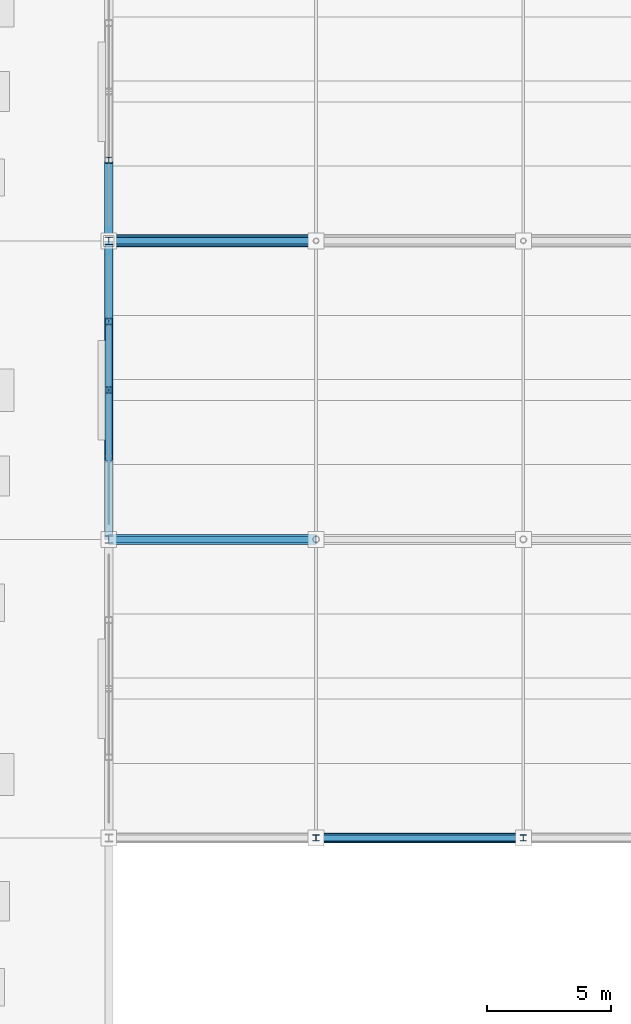
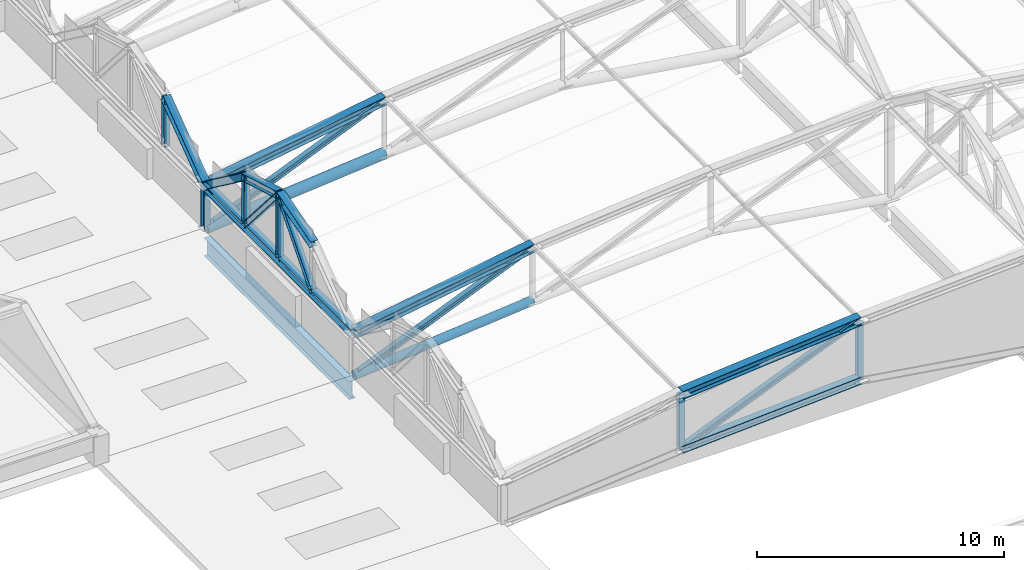
# One storey, part 11 of 117: 22 members, 1 beam.
"""IFC4 building model written with IfcOpenShell, lengths in metres."""

from ifc_helpers import new_model, si_unit, direction, frame, origin, origin_2d, place, context, subcontext, project, spatial, hollow_circle, i_section, extrude, material, material_profile, profile_set, type_object, element, save


model = new_model("IFC4")

# Units and contexts
model_context = context("Model", 3, precision=1e-05, world=origin(), true_north=direction((0.0, 1.0)))
body_context = subcontext(model_context, "Body", "Model", "MODEL_VIEW")
ifc_project = project(units=[si_unit("LENGTHUNIT", "METRE"), si_unit("AREAUNIT", "SQUARE_METRE"), si_unit("VOLUMEUNIT", "CUBIC_METRE"), si_unit("PLANEANGLEUNIT", "RADIAN"), si_unit("MASSUNIT", "GRAM", prefix="KILO")], contexts=[model_context])

# Site, building, storey
site_placement = place(None, origin())
site = spatial("IfcSite", under=ifc_project, at=site_placement, CompositionType="ELEMENT")
building_placement = place(site_placement, origin())
building = spatial("IfcBuilding", under=site, at=building_placement, Name="Kazenohara Klinker Stadium", CompositionType="ELEMENT")
storey_placement = place(building_placement, frame((0.0, 0.0, 31.199951171875)))
storey = spatial("IfcBuildingStorey", under=building, at=storey_placement, Name="RF", CompositionType="ELEMENT", Elevation=31.199951171875)

# Members
ifc_material = material(Name="Steel S355", Category="steel")
ifc_material_profile_1 = material_profile(ifc_material, i_section(OverallWidth=0.25, OverallDepth=0.25, WebThickness=0.009033203125, FlangeThickness=0.013916015625, FilletRadius=0.012939453125, at=origin_2d()), Name="H-250x250x9x14")
ifc_profile_set_1 = profile_set([ifc_material_profile_1], Name="Steel S355")
member_type_1 = type_object("IfcMemberType", Name="MEM-BRC02", PredefinedType="BRACE", material=ifc_profile_set_1)
member_1_placement = place(storey_placement, frame((32.333251953125, 48.0, 0.75), z_axis=(0.923953834256, 0.0, 0.382504002808), x_axis=(0.0, 1.0, 0.0)))
element("IfcMember", 1, at=member_1_placement, inside=storey, type_object=member_type_1, Name="ROOF TRUSS RT-W01 web diagonal 2", PredefinedType="BRACE", context=body_context, shape_type="SweptSolid", body=[
    extrude(i_section(OverallWidth=0.25, OverallDepth=0.25, WebThickness=0.009033203125, FlangeThickness=0.013916015625, FilletRadius=0.012939453125, at=origin_2d()), origin(), (0.0, 0.0, 1.0), 9.019287109375),
])
for number, where, z_axis, x_axis, name in (
    (2, (24.0, 60.0, -0.02001953125), (0.923164118975, 0.0, 0.384406047608), (0.0, 1.0, 0.0), "ROOF TRUSS RT-W02 web diagonal 1"),
    (3, (24.0, 72.0, -0.02001953125), (0.923164118975, 0.0, 0.384406047608), (0.0, 1.0, 0.0), "ROOF TRUSS RT-W03 web diagonal 1"),
):
    element("IfcMember", number, at=place(storey_placement, frame(where, z_axis=z_axis, x_axis=x_axis)), inside=storey, type_object=member_type_1, Name=name, PredefinedType="BRACE", context=body_context, shape_type="SweptSolid", body=[
        extrude(i_section(OverallWidth=0.25, OverallDepth=0.25, WebThickness=0.009033203125, FlangeThickness=0.013916015625, FilletRadius=0.012939453125, at=origin_2d()), origin(), (0.0, 0.0, 1.0), 9.02685546875),
    ])
ifc_material_profile_2 = material_profile(ifc_material, i_section(OverallWidth=0.39990234375, OverallDepth=0.39990234375, WebThickness=0.012939453125, FlangeThickness=0.02099609375, FilletRadius=0.02197265625, at=origin_2d()), Name="H-400x400x13x21")
ifc_profile_set_2 = profile_set([ifc_material_profile_2], Name="Steel S355")
member_type_2 = type_object("IfcMemberType", Name="MEM-CHD01", PredefinedType="CHORD", material=ifc_profile_set_2)
member_2_placement = place(storey_placement, frame((32.333251953125, 48.0, 3.449951171875), z_axis=(0.995974595139, 0.0, 0.08963596286), x_axis=(0.0, 1.0, 0.0)))
element("IfcMember", 4, at=member_2_placement, inside=storey, type_object=member_type_2, Name="ROOF TRUSS RT-W01 top arched chord 2", PredefinedType="CHORD", context=body_context, shape_type="SweptSolid", body=[
    extrude(i_section(OverallWidth=0.39990234375, OverallDepth=0.39990234375, WebThickness=0.012939453125, FlangeThickness=0.02099609375, FilletRadius=0.02197265625, at=origin_2d()), origin(), (0.0, 0.0, 1.0), 8.3671875),
])
for number, where, z_axis, x_axis, name in (
    (5, (24.0, 60.0, 2.10009765625), (0.987133250968, 0.0, 0.159899796227), (0.0, 1.0, 0.0), "ROOF TRUSS RT-W02 top arched chord 1"),
    (6, (24.0, 72.0, 2.10009765625), (0.987133250968, 0.0, 0.159899796227), (0.0, 1.0, 0.0), "ROOF TRUSS RT-W03 top arched chord 1"),
):
    element("IfcMember", number, at=place(storey_placement, frame(where, z_axis=z_axis, x_axis=x_axis)), inside=storey, type_object=member_type_2, Name=name, PredefinedType="CHORD", context=body_context, shape_type="SweptSolid", body=[
        extrude(i_section(OverallWidth=0.39990234375, OverallDepth=0.39990234375, WebThickness=0.012939453125, FlangeThickness=0.02099609375, FilletRadius=0.02197265625, at=origin_2d()), origin(), (0.0, 0.0, 1.0), 8.44189453125),
    ])
ifc_material_profile_3 = material_profile(ifc_material, i_section(OverallWidth=0.35009765625, OverallDepth=0.35009765625, WebThickness=0.011962890625, FlangeThickness=0.01904296875, FilletRadius=0.012939453125, at=origin_2d()), Name="H-350x350x12x19")
ifc_profile_set_3 = profile_set([ifc_material_profile_3], Name="Steel S355")
member_type_3 = type_object("IfcMemberType", Name="MEM-CHD02", PredefinedType="CHORD", material=ifc_profile_set_3)
member_3_placement = place(storey_placement, frame((32.333251953125, 48.0, 0.75), z_axis=(0.998204915398, 0.0, 0.059891125175), x_axis=(0.0, 1.0, 0.0)))
element("IfcMember", 7, at=member_3_placement, inside=storey, type_object=member_type_3, Name="ROOF TRUSS RT-W01 bottom arched chord 2", PredefinedType="CHORD", context=body_context, shape_type="SweptSolid", body=[
    extrude(i_section(OverallWidth=0.35009765625, OverallDepth=0.35009765625, WebThickness=0.011962890625, FlangeThickness=0.01904296875, FilletRadius=0.012939453125, at=origin_2d()), origin(), (0.0, 0.0, 1.0), 8.348388671875),
])
member_4_placement = place(storey_placement, frame((24.0, 60.0, 2.10009765625), z_axis=(0.0, 1.0, 0.0), x_axis=(-1.0, 0.0, 0.0)))
element("IfcMember", 8, at=member_4_placement, inside=storey, type_object=member_type_3, Name="Barrel arch tie chord TC02 W-02-N0", PredefinedType="CHORD", context=body_context, shape_type="SweptSolid", body=[
    extrude(i_section(OverallWidth=0.35009765625, OverallDepth=0.35009765625, WebThickness=0.011962890625, FlangeThickness=0.01904296875, FilletRadius=0.012939453125, at=origin_2d()), origin(), (0.0, 0.0, 1.0), 12.0),
])
for number, where, z_axis, x_axis, name in (
    (9, (24.0, 63.239990234375, 4.5), (0.0, 0.960462085918, 0.27841081429), (-1.0, 0.0, 0.0), "Barrel arch top rib TC02 W-02-N0-S2"),
    (10, (24.0, 66.0, 5.300048828125), (0.0, 0.960462085918, -0.27841081429), (-1.0, 0.0, 0.0), "Barrel arch top rib TC02 W-02-N0-S3"),
):
    element("IfcMember", number, at=place(storey_placement, frame(where, z_axis=z_axis, x_axis=x_axis)), inside=storey, type_object=member_type_3, Name=name, PredefinedType="CHORD", context=body_context, shape_type="SweptSolid", body=[
        extrude(i_section(OverallWidth=0.35009765625, OverallDepth=0.35009765625, WebThickness=0.011962890625, FlangeThickness=0.01904296875, FilletRadius=0.012939453125, at=origin_2d()), origin(), (0.0, 0.0, 1.0), 2.87353515625),
    ])
for number, where, z_axis, x_axis, name in (
    (11, (24.0, 68.760009765625, 4.5), (0.0, 0.803567919639, -0.595213069856), (-1.0, 0.0, 0.0), "Barrel arch top rib TC02 W-02-N0-S4"),
    (12, (24.0, 72.0, 2.10009765625), (0.0, 0.803567919639, 0.595213069856), (-1.0, 0.0, 0.0), "Barrel arch top rib TC02 W-03-N0-S1"),
):
    element("IfcMember", number, at=place(storey_placement, frame(where, z_axis=z_axis, x_axis=x_axis)), inside=storey, type_object=member_type_3, Name=name, PredefinedType="CHORD", context=body_context, shape_type="SweptSolid", body=[
        extrude(i_section(OverallWidth=0.35009765625, OverallDepth=0.35009765625, WebThickness=0.011962890625, FlangeThickness=0.01904296875, FilletRadius=0.012939453125, at=origin_2d()), origin(), (0.0, 0.0, 1.0), 4.031982421875),
    ])
ifc_material_profile_4 = material_profile(ifc_material, hollow_circle(Radius=0.203125, WallThickness=0.011962890625, at=origin_2d()), Name="CHS-406.4x12")
ifc_profile_set_4 = profile_set([ifc_material_profile_4], Name="Steel S355")
member_type_4 = type_object("IfcMemberType", Name="MEM-CHD03", PredefinedType="CHORD", material=ifc_profile_set_4)
member_5_placement = place(storey_placement, frame((24.0, 60.0, -0.02001953125), z_axis=(0.995757965817, 0.0, 0.092011268397), x_axis=(0.0, 1.0, 0.0)))
element("IfcMember", 13, at=member_5_placement, inside=storey, type_object=member_type_4, Name="ROOF TRUSS RT-W02 bottom arched chord 1", PredefinedType="CHORD", context=body_context, shape_type="SweptSolid", body=[
    extrude(hollow_circle(Radius=0.203125, WallThickness=0.011962890625, at=origin_2d()), origin(), (0.0, 0.0, 1.0), 8.36865234375),
])
ifc_material_profile_5 = material_profile(ifc_material, hollow_circle(Radius=0.25390625, WallThickness=0.01611328125, at=origin_2d()), Name="CHS-508.0x16")
ifc_profile_set_5 = profile_set([ifc_material_profile_5], Name="Steel S355")
member_type_5 = type_object("IfcMemberType", Name="MEM-CHD04", PredefinedType="CHORD", material=ifc_profile_set_5)
member_6_placement = place(storey_placement, frame((24.0, 72.0, -0.02001953125), z_axis=(0.995757965817, 0.0, 0.092011268397), x_axis=(0.0, 1.0, 0.0)))
element("IfcMember", 14, at=member_6_placement, inside=storey, type_object=member_type_5, Name="ROOF TRUSS RT-W03 bottom arched chord 1", PredefinedType="CHORD", context=body_context, shape_type="SweptSolid", body=[
    extrude(hollow_circle(Radius=0.25390625, WallThickness=0.01611328125, at=origin_2d()), origin(), (0.0, 0.0, 1.0), 8.36865234375),
])
ifc_material_profile_6 = material_profile(ifc_material, i_section(OverallWidth=0.300048828125, OverallDepth=0.300048828125, WebThickness=0.010009765625, FlangeThickness=0.014892578125, FilletRadius=0.012939453125, at=origin_2d()), Name="H-300x300x10x15")
ifc_profile_set_6 = profile_set([ifc_material_profile_6], Name="Steel S355")
member_type_6 = type_object("IfcMemberType", Name="MEM-STR01", PredefinedType="STRUT", material=ifc_profile_set_6)
member_7_placement = place(storey_placement, frame((24.0, 72.0, -0.02001953125), z_axis=(0.0, 0.0, 1.0), x_axis=(1.0, 0.0, 0.0)))
element("IfcMember", 15, at=member_7_placement, inside=storey, type_object=member_type_6, Name="ROOF TRUSS RT-W03 web post 1", PredefinedType="STRUT", context=body_context, shape_type="SweptSolid", body=[
    extrude(i_section(OverallWidth=0.300048828125, OverallDepth=0.300048828125, WebThickness=0.010009765625, FlangeThickness=0.014892578125, FilletRadius=0.012939453125, at=origin_2d()), origin(), (0.0, 0.0, 1.0), 2.1201171875),
])
ifc_material_profile_7 = material_profile(ifc_material, i_section(OverallWidth=0.25, OverallDepth=0.25, WebThickness=0.009033203125, FlangeThickness=0.013916015625, FilletRadius=0.012939453125, at=origin_2d()), Name="H-250x250x9x14")
ifc_profile_set_7 = profile_set([ifc_material_profile_7], Name="Steel S355")
member_type_7 = type_object("IfcMemberType", Name="MEM-STR02", PredefinedType="STRUT", material=ifc_profile_set_7)
member_8_placement = place(storey_placement, frame((32.333251953125, 48.0, 0.75), z_axis=(0.0, 0.0, 1.0), x_axis=(1.0, 0.0, 0.0)))
element("IfcMember", 16, at=member_8_placement, inside=storey, type_object=member_type_7, Name="ROOF TRUSS RT-W01 web post 2", PredefinedType="STRUT", context=body_context, shape_type="SweptSolid", body=[
    extrude(i_section(OverallWidth=0.25, OverallDepth=0.25, WebThickness=0.009033203125, FlangeThickness=0.013916015625, FilletRadius=0.012939453125, at=origin_2d()), origin(), (0.0, 0.0, 1.0), 2.699951171875),
])
member_9_placement = place(storey_placement, frame((40.666748046875, 48.0, 1.25), z_axis=(0.0, 0.0, 1.0), x_axis=(1.0, 0.0, 0.0)))
element("IfcMember", 17, at=member_9_placement, inside=storey, type_object=member_type_7, Name="ROOF TRUSS RT-W01 web post 3", PredefinedType="STRUT", context=body_context, shape_type="SweptSolid", body=[
    extrude(i_section(OverallWidth=0.25, OverallDepth=0.25, WebThickness=0.009033203125, FlangeThickness=0.013916015625, FilletRadius=0.012939453125, at=origin_2d()), origin(), (0.0, 0.0, 1.0), 2.949951171875),
])
member_10_placement = place(storey_placement, frame((24.0, 66.0, 2.10009765625), z_axis=(0.0, 0.0, 1.0), x_axis=(1.0, 0.0, 0.0)))
element("IfcMember", 18, at=member_10_placement, inside=storey, type_object=member_type_7, Name="Barrel arch web post TS02 W-02-N0-P2", PredefinedType="STRUT", context=body_context, shape_type="SweptSolid", body=[
    extrude(i_section(OverallWidth=0.25, OverallDepth=0.25, WebThickness=0.009033203125, FlangeThickness=0.013916015625, FilletRadius=0.012939453125, at=origin_2d()), origin(), (0.0, 0.0, 1.0), 3.199951171875),
])
member_11_placement = place(storey_placement, frame((24.0, 68.760009765625, 2.10009765625), z_axis=(0.0, 0.0, 1.0), x_axis=(1.0, 0.0, 0.0)))
element("IfcMember", 19, at=member_11_placement, inside=storey, type_object=member_type_7, Name="Barrel arch web post TS02 W-02-N0-P3", PredefinedType="STRUT", context=body_context, shape_type="SweptSolid", body=[
    extrude(i_section(OverallWidth=0.25, OverallDepth=0.25, WebThickness=0.009033203125, FlangeThickness=0.013916015625, FilletRadius=0.012939453125, at=origin_2d()), origin(), (0.0, 0.0, 1.0), 2.39990234375),
])
for number, where, z_axis, x_axis, name in (
    (20, (24.0, 63.239990234375, 2.10009765625), (0.0, 0.653133887971, 0.757242447558), (-1.0, 0.0, 0.0), "Barrel arch web diagonal TS02 W-02-N0-D1"),
    (21, (24.0, 68.760009765625, 2.10009765625), (0.0, -0.653133887971, 0.757242447558), (1.0, 0.0, 0.0), "Barrel arch web diagonal TS02 W-02-N0-D2"),
):
    element("IfcMember", number, at=place(storey_placement, frame(where, z_axis=z_axis, x_axis=x_axis)), inside=storey, type_object=member_type_7, Name=name, PredefinedType="STRUT", context=body_context, shape_type="SweptSolid", body=[
        extrude(i_section(OverallWidth=0.25, OverallDepth=0.25, WebThickness=0.009033203125, FlangeThickness=0.013916015625, FilletRadius=0.012939453125, at=origin_2d()), origin(), (0.0, 0.0, 1.0), 4.225830078125),
    ])
member_12_placement = place(storey_placement, frame((24.0, 75.239990234375, 2.10009765625), z_axis=(0.0, 0.0, 1.0), x_axis=(1.0, 0.0, 0.0)))
element("IfcMember", 22, at=member_12_placement, inside=storey, type_object=member_type_7, Name="Barrel arch web post TS02 W-03-N0-P1", PredefinedType="STRUT", context=body_context, shape_type="SweptSolid", body=[
    extrude(i_section(OverallWidth=0.25, OverallDepth=0.25, WebThickness=0.009033203125, FlangeThickness=0.013916015625, FilletRadius=0.012939453125, at=origin_2d()), origin(), (0.0, 0.0, 1.0), 2.39990234375),
])

# Beam
ifc_material_profile_8 = material_profile(ifc_material, i_section(OverallWidth=0.300048828125, OverallDepth=0.89990234375, WebThickness=0.01611328125, FlangeThickness=0.028076171875, FilletRadius=0.02197265625, at=origin_2d()), Name="H-900x300x16x28")
ifc_profile_set_8 = profile_set([ifc_material_profile_8], Name="Steel S355")
beam_type = type_object("IfcBeamType", Name="RING-RB01", PredefinedType="USERDEFINED", material=ifc_profile_set_8)
beam_placement = place(storey_placement, frame((24.0, 60.139892578125, -0.820068359375), z_axis=(0.0, 1.0, 0.0), x_axis=(-1.0, 0.0, 0.0)))
element("IfcBeam", 23, at=beam_placement, inside=storey, type_object=beam_type, Name="Roof ring beam RB01 W-OUT F-G", ObjectType="RING BEAM", PredefinedType="USERDEFINED", context=body_context, shape_type="SweptSolid", body=[
    extrude(i_section(OverallWidth=0.300048828125, OverallDepth=0.89990234375, WebThickness=0.01611328125, FlangeThickness=0.028076171875, FilletRadius=0.02197265625, at=origin_2d()), origin(), (0.0, 0.0, 1.0), 11.72021484375),
])

save(model, "model.ifc")
